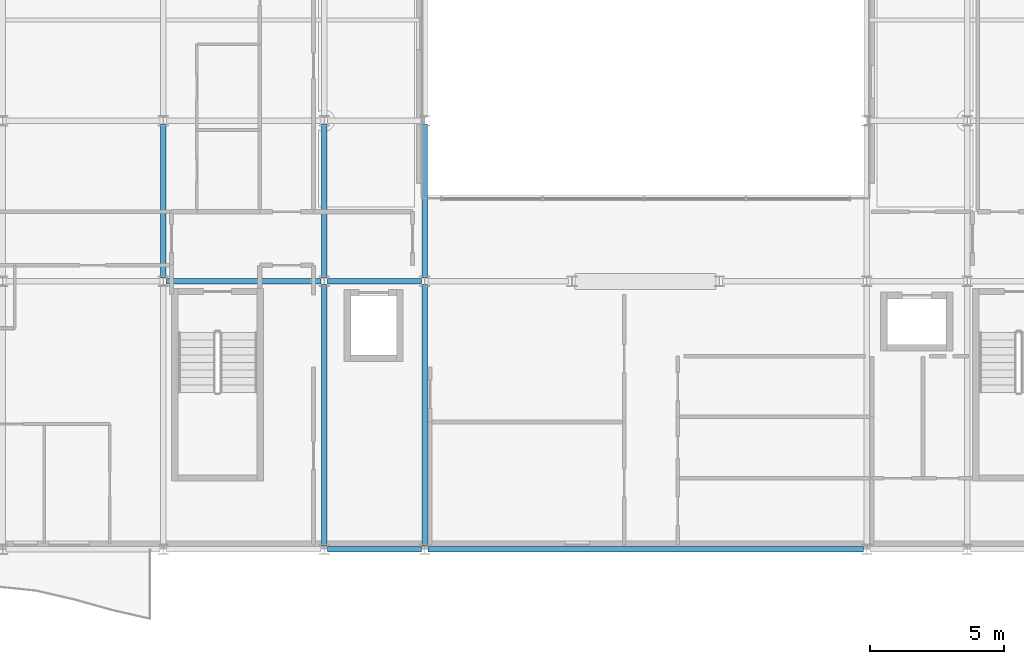
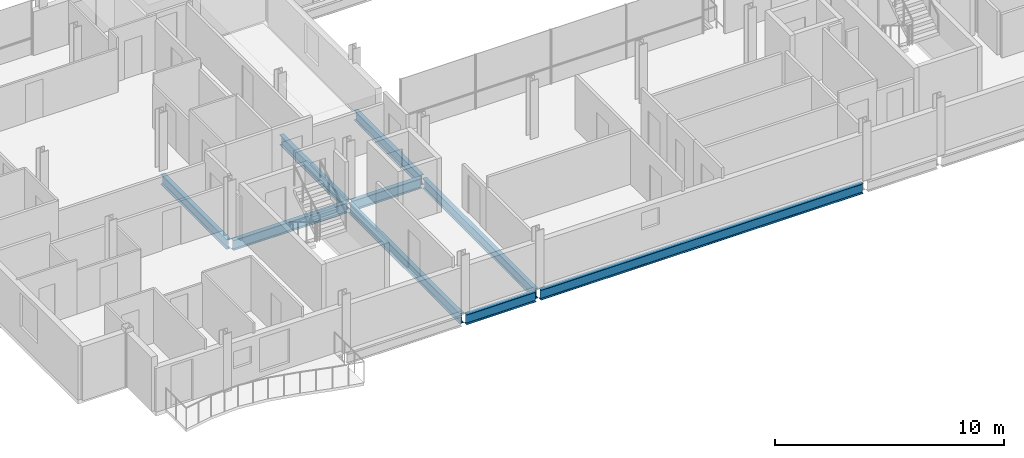
# One storey, part 4 of 35: 9 beams.
"""IFC4 building model written with IfcOpenShell, lengths in metres."""

from ifc_helpers import new_model, si_unit, direction, frame, origin, origin_2d, place, context, subcontext, project, spatial, i_section, extrude, material, material_profile, profile_set, type_object, element, save


model = new_model("IFC4")

# Units and contexts
model_context = context("Model", 3, precision=1e-05, world=origin(), true_north=direction((0.0, 1.0)))
body_context = subcontext(model_context, "Body", "Model", "MODEL_VIEW")
ifc_project = project(units=[si_unit("LENGTHUNIT", "METRE"), si_unit("AREAUNIT", "SQUARE_METRE"), si_unit("VOLUMEUNIT", "CUBIC_METRE"), si_unit("PLANEANGLEUNIT", "RADIAN"), si_unit("MASSUNIT", "GRAM", prefix="KILO")], contexts=[model_context])

# Site, building, storey
site_placement = place(None, origin())
site = spatial("IfcSite", under=ifc_project, at=site_placement, CompositionType="ELEMENT")
building_placement = place(site_placement, origin())
building = spatial("IfcBuilding", under=site, at=building_placement, Name="Brevholm Reach", CompositionType="ELEMENT")
storey_placement = place(building_placement, frame((0.0, 0.0, 183.199951171875)))
storey = spatial("IfcBuildingStorey", under=building, at=storey_placement, Name="L55", CompositionType="ELEMENT", Elevation=183.199951171875)

# Beams
ifc_material_1 = material(Name="Structural Steel S355J2", Category="steel")
ifc_material_profile_1 = material_profile(ifc_material_1, i_section(OverallWidth=0.209228515625, OverallDepth=0.533203125, WebThickness=0.010009765625, FlangeThickness=0.015625, FilletRadius=0.0126953125, at=origin_2d()), Name="UKB 533x210x92")
ifc_profile_set_1 = profile_set([ifc_material_profile_1], Name="Structural Steel S355J2")
beam_type_1 = type_object("IfcBeamType", Name="BM-SP533", PredefinedType="SPANDREL", material=ifc_profile_set_1)
beam_1_placement = place(storey_placement, frame((18.1201171875, 0.0, -0.4765625), z_axis=(1.0, 0.0, 0.0), x_axis=(0.0, 1.0, 0.0)))
element("IfcBeam", 1, at=beam_1_placement, inside=storey, type_object=beam_type_1, Name="L55 SP-02 Framing Beam", PredefinedType="SPANDREL", context=body_context, shape_type="SweptSolid", body=[
    extrude(i_section(OverallWidth=0.209228515625, OverallDepth=0.533203125, WebThickness=0.010009765625, FlangeThickness=0.015625, FilletRadius=0.0126953125, at=origin_2d()), origin(), (0.0, 0.0, 1.0), 3.509765625),
])
beam_2_placement = place(storey_placement, frame((21.8701171875, 0.0, -0.4765625), z_axis=(1.0, 0.0, 0.0), x_axis=(0.0, 1.0, 0.0)))
element("IfcBeam", 2, at=beam_2_placement, inside=storey, type_object=beam_type_1, Name="L55 SP-02 Framing Beam", PredefinedType="SPANDREL", context=body_context, shape_type="SweptSolid", body=[
    extrude(i_section(OverallWidth=0.209228515625, OverallDepth=0.533203125, WebThickness=0.010009765625, FlangeThickness=0.015625, FilletRadius=0.0126953125, at=origin_2d()), origin(), (0.0, 0.0, 1.0), 16.259765625),
])
ifc_material_2 = material(Name="Structural Steel S355J2", Category="steel")
ifc_material_profile_2 = material_profile(ifc_material_2, i_section(OverallWidth=0.210693359375, OverallDepth=0.53955078125, WebThickness=0.01171875, FlangeThickness=0.018798828125, FilletRadius=0.0126953125, at=origin_2d()), Name="UKB 533x210x109")
ifc_profile_set_2 = profile_set([ifc_material_profile_2], Name="Structural Steel S355J2")
beam_type_2 = type_object("IfcBeamType", Name="BM-SP539", PredefinedType="SPANDREL", material=ifc_profile_set_2)
beam_3_placement = place(storey_placement, frame((12.1201171875, 10.0, -0.479736328125), z_axis=(1.0, 0.0, 0.0), x_axis=(0.0, 1.0, 0.0)))
element("IfcBeam", 3, at=beam_3_placement, inside=storey, type_object=beam_type_2, Name="L55 SP-01B Framing Beam", PredefinedType="SPANDREL", context=body_context, shape_type="SweptSolid", body=[
    extrude(i_section(OverallWidth=0.210693359375, OverallDepth=0.53955078125, WebThickness=0.01171875, FlangeThickness=0.018798828125, FilletRadius=0.0126953125, at=origin_2d()), origin(), (0.0, 0.0, 1.0), 5.759765625),
])
beam_4_placement = place(storey_placement, frame((18.1201171875, 10.0, -0.479736328125), z_axis=(1.0, 0.0, 0.0), x_axis=(0.0, 1.0, 0.0)))
element("IfcBeam", 4, at=beam_4_placement, inside=storey, type_object=beam_type_2, Name="L55 SP-01B Framing Beam", PredefinedType="SPANDREL", context=body_context, shape_type="SweptSolid", body=[
    extrude(i_section(OverallWidth=0.210693359375, OverallDepth=0.53955078125, WebThickness=0.01171875, FlangeThickness=0.018798828125, FilletRadius=0.0126953125, at=origin_2d()), origin(), (0.0, 0.0, 1.0), 3.509765625),
])
beam_5_placement = place(storey_placement, frame((12.0, 10.1201171875, -0.479736328125), z_axis=(0.0, 1.0, 0.0), x_axis=(-1.0, 0.0, 0.0)))
element("IfcBeam", 5, at=beam_5_placement, inside=storey, type_object=beam_type_2, Name="L55 SP-01B Framing Beam", PredefinedType="SPANDREL", context=body_context, shape_type="SweptSolid", body=[
    extrude(i_section(OverallWidth=0.210693359375, OverallDepth=0.53955078125, WebThickness=0.01171875, FlangeThickness=0.018798828125, FilletRadius=0.0126953125, at=origin_2d()), origin(), (0.0, 0.0, 1.0), 5.759765625),
])
beam_6_placement = place(storey_placement, frame((18.0, 0.1201171875, -0.479736328125), z_axis=(0.0, 1.0, 0.0), x_axis=(-1.0, 0.0, 0.0)))
element("IfcBeam", 6, at=beam_6_placement, inside=storey, type_object=beam_type_2, Name="L55 SP-01B Framing Beam", PredefinedType="SPANDREL", context=body_context, shape_type="SweptSolid", body=[
    extrude(i_section(OverallWidth=0.210693359375, OverallDepth=0.53955078125, WebThickness=0.01171875, FlangeThickness=0.018798828125, FilletRadius=0.0126953125, at=origin_2d()), origin(), (0.0, 0.0, 1.0), 9.759765625),
])
beam_7_placement = place(storey_placement, frame((18.0, 10.1201171875, -0.479736328125), z_axis=(0.0, 1.0, 0.0), x_axis=(-1.0, 0.0, 0.0)))
element("IfcBeam", 7, at=beam_7_placement, inside=storey, type_object=beam_type_2, Name="L55 SP-01B Framing Beam", PredefinedType="SPANDREL", context=body_context, shape_type="SweptSolid", body=[
    extrude(i_section(OverallWidth=0.210693359375, OverallDepth=0.53955078125, WebThickness=0.01171875, FlangeThickness=0.018798828125, FilletRadius=0.0126953125, at=origin_2d()), origin(), (0.0, 0.0, 1.0), 5.759765625),
])
beam_8_placement = place(storey_placement, frame((21.75, 0.1201171875, -0.479736328125), z_axis=(0.0, 1.0, 0.0), x_axis=(-1.0, 0.0, 0.0)))
element("IfcBeam", 8, at=beam_8_placement, inside=storey, type_object=beam_type_2, Name="L55 SP-01B Framing Beam", PredefinedType="SPANDREL", context=body_context, shape_type="SweptSolid", body=[
    extrude(i_section(OverallWidth=0.210693359375, OverallDepth=0.53955078125, WebThickness=0.01171875, FlangeThickness=0.018798828125, FilletRadius=0.0126953125, at=origin_2d()), origin(), (0.0, 0.0, 1.0), 9.759765625),
])
beam_9_placement = place(storey_placement, frame((21.75, 10.1201171875, -0.479736328125), z_axis=(0.0, 1.0, 0.0), x_axis=(-1.0, 0.0, 0.0)))
element("IfcBeam", 9, at=beam_9_placement, inside=storey, type_object=beam_type_2, Name="L55 SP-01B Framing Beam", PredefinedType="SPANDREL", context=body_context, shape_type="SweptSolid", body=[
    extrude(i_section(OverallWidth=0.210693359375, OverallDepth=0.53955078125, WebThickness=0.01171875, FlangeThickness=0.018798828125, FilletRadius=0.0126953125, at=origin_2d()), origin(), (0.0, 0.0, 1.0), 5.759765625),
])

save(model, "model.ifc")
